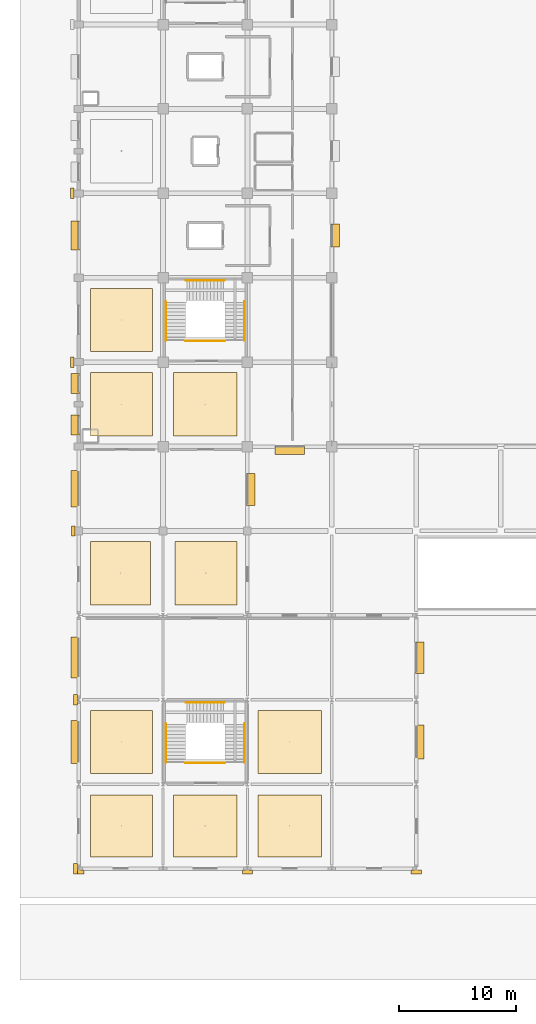
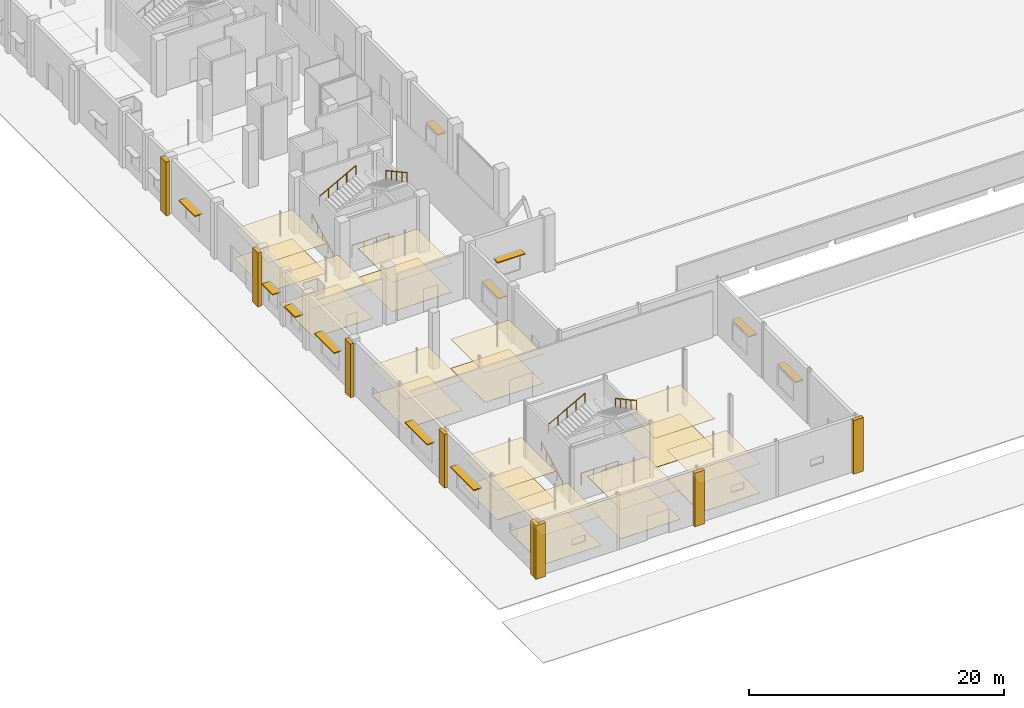
# One storey, part 83 of 90: 28 coverings, 11 shading devices, 8 railings.
"""IFC4 building model written with IfcOpenShell, lengths in metres."""

from ifc_helpers import new_model, si_unit, direction, frame, origin, origin_2d, place, context, subcontext, project, spatial, polyline, rectangle, circle, outline, extrude, material, layer, layer_set, type_object, element, save


model = new_model("IFC4")

# Units and contexts
model_context = context("Model", 3, precision=1e-05, world=origin(), true_north=direction((0.0, 1.0)))
body_context = subcontext(model_context, "Body", "Model", "MODEL_VIEW")
ifc_project = project(units=[si_unit("LENGTHUNIT", "METRE"), si_unit("AREAUNIT", "SQUARE_METRE"), si_unit("VOLUMEUNIT", "CUBIC_METRE"), si_unit("PLANEANGLEUNIT", "RADIAN"), si_unit("MASSUNIT", "GRAM", prefix="KILO")], contexts=[model_context])

# Site, building, storey
site_placement = place(None, origin())
site = spatial("IfcSite", under=ifc_project, at=site_placement, CompositionType="ELEMENT")
building_placement = place(site_placement, origin())
building = spatial("IfcBuilding", under=site, at=building_placement, Name="Kangsadwip Square Police Headquarters", CompositionType="ELEMENT")
storey_placement = place(building_placement, origin())
storey = spatial("IfcBuildingStorey", under=building, at=storey_placement, Name="L00", CompositionType="ELEMENT", Elevation=0.0)

# Railings
ifc_material_1 = material(Name="Structural steel IS 2062 E250 (Grade 250, 250 MPa)", Category="steel")
railing_type_1 = type_object("IfcRailingType", Name="BalustradeGuard1100", PredefinedType="BALUSTRADE", material=ifc_material_1)
for number, where, name in (
    (1, (9.1298828125, 45.02001953125, 0.0), "Stair Guard ST-01 L00-4"),
    (2, (9.1298828125, 9.02001953125, 0.0), "Stair Guard ST-08 L00-178"),
):
    element("IfcRailing", number, at=place(storey_placement, frame(where)), inside=storey, type_object=railing_type_1, Name=name, PredefinedType="BALUSTRADE", context=body_context, shape_type="SweptSolid", body=[
        extrude(circle(Radius=0.02392578125, at=origin_2d()), frame((0.0, 0.0, 1.09619140625), z_axis=(1.0, 0.0, 0.0), x_axis=(0.0, 1.0, 0.0)), (0.0, 0.0, 1.0), 3.340087890625),
        extrude(circle(Radius=0.02099609375, at=origin_2d()), origin(), (0.0, 0.0, 1.0), 1.072021484375),
        extrude(circle(Radius=0.02099609375, at=origin_2d()), frame((1.11328125, 0.0, 0.0)), (0.0, 0.0, 1.0), 1.072021484375),
        extrude(circle(Radius=0.02099609375, at=origin_2d()), frame((2.226806640625, 0.0, 0.0)), (0.0, 0.0, 1.0), 1.072021484375),
        extrude(circle(Radius=0.02099609375, at=origin_2d()), frame((3.340087890625, 0.0, 0.0)), (0.0, 0.0, 1.0), 1.072021484375),
    ])

# Coverings
ifc_material_2 = material(Name="Seamless anti-static epoxy and polished Kota stone interior flooring", Category="masonry")
ifc_layer_1 = layer(ifc_material_2, 0.02001953125)
ifc_layer_set_1 = layer_set([ifc_layer_1], Name="Seamless anti-static epoxy and polished Kota stone interior flooring")
covering_type_1 = type_object("IfcCoveringType", Name="InteriorStoneEpoxyFloor", PredefinedType="FLOORING", material=ifc_layer_set_1)
covering_1_placement = place(storey_placement, origin())
element("IfcCovering", 3, at=covering_1_placement, inside=storey, type_object=covering_type_1, Name="Interior Floor Finish L00-024", PredefinedType="FLOORING", context=body_context, shape_type="SweptSolid", body=[
    extrude(outline(polyline([(1.0, 36.89990234375), (6.300048828125, 36.89990234375), (6.300048828125, 42.300048828125), (1.0, 42.300048828125), (1.0, 36.89990234375)])), origin(), (0.0, 0.0, 1.0), 0.02001953125),
])
covering_2_placement = place(storey_placement, origin())
element("IfcCovering", 4, at=covering_2_placement, inside=storey, type_object=covering_type_1, Name="Interior Floor Finish L00-025", PredefinedType="FLOORING", context=body_context, shape_type="SweptSolid", body=[
    extrude(outline(polyline([(8.10009765625, 36.89990234375), (13.5, 36.89990234375), (13.5, 42.300048828125), (8.10009765625, 42.300048828125), (8.10009765625, 36.89990234375)])), origin(), (0.0, 0.0, 1.0), 0.02001953125),
])
covering_3_placement = place(storey_placement, origin())
element("IfcCovering", 5, at=covering_3_placement, inside=storey, type_object=covering_type_1, Name="Interior Floor Finish L00-026", PredefinedType="FLOORING", context=body_context, shape_type="SweptSolid", body=[
    extrude(outline(polyline([(1.0, 44.10009765625), (6.300048828125, 44.10009765625), (6.300048828125, 49.5), (1.0, 49.5), (1.0, 44.10009765625)])), origin(), (0.0, 0.0, 1.0), 0.02001953125),
])
covering_4_placement = place(storey_placement, origin())
element("IfcCovering", 6, at=covering_4_placement, inside=storey, type_object=covering_type_1, Name="Interior Floor Finish L00-036", PredefinedType="FLOORING", context=body_context, shape_type="SweptSolid", body=[
    extrude(outline(polyline([(1.0, 1.0), (6.300048828125, 1.0), (6.300048828125, 6.300048828125), (1.0, 6.300048828125), (1.0, 1.0)])), origin(), (0.0, 0.0, 1.0), 0.02001953125),
])
covering_5_placement = place(storey_placement, origin())
element("IfcCovering", 7, at=covering_5_placement, inside=storey, type_object=covering_type_1, Name="Interior Floor Finish L00-037", PredefinedType="FLOORING", context=body_context, shape_type="SweptSolid", body=[
    extrude(outline(polyline([(8.10009765625, 1.0), (13.5, 1.0), (13.5, 6.300048828125), (8.10009765625, 6.300048828125), (8.10009765625, 1.0)])), origin(), (0.0, 0.0, 1.0), 0.02001953125),
])
covering_6_placement = place(storey_placement, origin())
element("IfcCovering", 8, at=covering_6_placement, inside=storey, type_object=covering_type_1, Name="Interior Floor Finish L00-038", PredefinedType="FLOORING", context=body_context, shape_type="SweptSolid", body=[
    extrude(outline(polyline([(15.300048828125, 1.0), (20.699951171875, 1.0), (20.699951171875, 6.300048828125), (15.300048828125, 6.300048828125), (15.300048828125, 1.0)])), origin(), (0.0, 0.0, 1.0), 0.02001953125),
])
covering_7_placement = place(storey_placement, origin())
element("IfcCovering", 9, at=covering_7_placement, inside=storey, type_object=covering_type_1, Name="Interior Floor Finish L00-039", PredefinedType="FLOORING", context=body_context, shape_type="SweptSolid", body=[
    extrude(outline(polyline([(1.0, 8.10009765625), (6.300048828125, 8.10009765625), (6.300048828125, 13.5), (1.0, 13.5), (1.0, 8.10009765625)])), origin(), (0.0, 0.0, 1.0), 0.02001953125),
])
covering_8_placement = place(storey_placement, origin())
element("IfcCovering", 10, at=covering_8_placement, inside=storey, type_object=covering_type_1, Name="Interior Floor Finish L00-040", PredefinedType="FLOORING", context=body_context, shape_type="SweptSolid", body=[
    extrude(outline(polyline([(15.300048828125, 8.10009765625), (20.699951171875, 8.10009765625), (20.699951171875, 13.5), (15.300048828125, 13.5), (15.300048828125, 8.10009765625)])), origin(), (0.0, 0.0, 1.0), 0.02001953125),
])
covering_9_placement = place(storey_placement, origin())
element("IfcCovering", 11, at=covering_9_placement, inside=storey, type_object=covering_type_1, Name="Interior Floor Finish L00-041", PredefinedType="FLOORING", context=body_context, shape_type="SweptSolid", body=[
    extrude(outline(polyline([(1.0, 22.5), (6.14990234375, 22.5), (6.14990234375, 27.89990234375), (1.0, 27.89990234375), (1.0, 22.5)])), origin(), (0.0, 0.0, 1.0), 0.02001953125),
])
covering_10_placement = place(storey_placement, origin())
element("IfcCovering", 12, at=covering_10_placement, inside=storey, type_object=covering_type_1, Name="Interior Floor Finish L00-042", PredefinedType="FLOORING", context=body_context, shape_type="SweptSolid", body=[
    extrude(outline(polyline([(8.199951171875, 22.5), (13.5, 22.5), (13.5, 27.89990234375), (8.199951171875, 27.89990234375), (8.199951171875, 22.5)])), origin(), (0.0, 0.0, 1.0), 0.02001953125),
])

# Railings
ifc_material_3 = material(Name="Structural steel IS 2062 E250 (Grade 250, 250 MPa)", Category="steel")
railing_type_2 = type_object("IfcRailingType", Name="StairPitchHandrail900", PredefinedType="HANDRAIL", material=ifc_material_3)
railing_1_placement = place(storey_placement, frame((7.43994140625, 45.06005859375, 0.0)))
element("IfcRailing", 13, at=railing_1_placement, inside=storey, type_object=railing_type_2, Name="Stair Handrail ST-01 L00-5", PredefinedType="HANDRAIL", context=body_context, shape_type="SweptSolid", body=[
    extrude(circle(Radius=0.02392578125, at=origin_2d()), frame((0.0, 0.0, 0.8759765625), z_axis=(0.0, 0.877893090839, 0.478856681124), x_axis=(-1.0, 0.0, 0.0)), (0.0, 0.0, 1.0), 3.759033203125),
    extrude(circle(Radius=0.02099609375, at=origin_2d()), origin(), (0.0, 0.0, 1.0), 0.851806640625),
    extrude(circle(Radius=0.02099609375, at=origin_2d()), frame((0.0, 0.824951171875, 0.449951171875)), (0.0, 0.0, 1.0), 0.851806640625),
    extrude(circle(Radius=0.02099609375, at=origin_2d()), frame((0.0, 1.64990234375, 0.89990234375)), (0.0, 0.0, 1.0), 0.851806640625),
    extrude(circle(Radius=0.02099609375, at=origin_2d()), frame((0.0, 2.47509765625, 1.35009765625)), (0.0, 0.0, 1.0), 0.851806640625),
    extrude(circle(Radius=0.02099609375, at=origin_2d()), frame((0.0, 3.300048828125, 1.800048828125)), (0.0, 0.0, 1.0), 0.851806640625),
])
railing_2_placement = place(storey_placement, frame((9.14990234375, 50.159912109375, 1.800048828125)))
element("IfcRailing", 14, at=railing_2_placement, inside=storey, type_object=railing_type_2, Name="Stair Handrail ST-01 L00-6", PredefinedType="HANDRAIL", context=body_context, shape_type="SweptSolid", body=[
    extrude(circle(Radius=0.02392578125, at=origin_2d()), frame((0.0, 0.0, 0.8759765625), z_axis=(0.877893090839, 0.0, 0.478856681124), x_axis=(0.0, 1.0, 0.0)), (0.0, 0.0, 1.0), 3.759033203125),
    extrude(circle(Radius=0.02099609375, at=origin_2d()), origin(), (0.0, 0.0, 1.0), 0.851806640625),
    extrude(circle(Radius=0.02099609375, at=origin_2d()), frame((0.824951171875, 0.0, 0.449951171875)), (0.0, 0.0, 1.0), 0.851806640625),
    extrude(circle(Radius=0.02099609375, at=origin_2d()), frame((1.64990234375, 0.0, 0.89990234375)), (0.0, 0.0, 1.0), 0.851806640625),
    extrude(circle(Radius=0.02099609375, at=origin_2d()), frame((2.47509765625, 0.0, 1.35009765625)), (0.0, 0.0, 1.0), 0.851806640625),
    extrude(circle(Radius=0.02099609375, at=origin_2d()), frame((3.300048828125, 0.0, 1.800048828125)), (0.0, 0.0, 1.0), 0.851806640625),
])
railing_3_placement = place(storey_placement, frame((14.159912109375, 48.360107421875, 3.60009765625)))
element("IfcRailing", 15, at=railing_3_placement, inside=storey, type_object=railing_type_2, Name="Stair Handrail ST-01 L00-7", PredefinedType="HANDRAIL", context=body_context, shape_type="SweptSolid", body=[
    extrude(circle(Radius=0.02392578125, at=origin_2d()), frame((0.0, 0.0, 0.8759765625), z_axis=(0.0, -0.877920393143, 0.478806624122), x_axis=(1.0, 0.0, 0.0)), (0.0, 0.0, 1.0), 3.759033203125),
    extrude(circle(Radius=0.02099609375, at=origin_2d()), origin(), (0.0, 0.0, 1.0), 0.851806640625),
    extrude(circle(Radius=0.02099609375, at=origin_2d()), frame((0.0, -0.824951171875, 0.449951171875)), (0.0, 0.0, 1.0), 0.851806640625),
    extrude(circle(Radius=0.02099609375, at=origin_2d()), frame((0.0, -1.64990234375, 0.89990234375)), (0.0, 0.0, 1.0), 0.851806640625),
    extrude(circle(Radius=0.02099609375, at=origin_2d()), frame((0.0, -2.47509765625, 1.349853515625)), (0.0, 0.0, 1.0), 0.851806640625),
    extrude(circle(Radius=0.02099609375, at=origin_2d()), frame((0.0, -3.300048828125, 1.7998046875)), (0.0, 0.0, 1.0), 0.851806640625),
])
railing_4_placement = place(storey_placement, frame((7.43994140625, 9.06005859375, 0.0)))
element("IfcRailing", 16, at=railing_4_placement, inside=storey, type_object=railing_type_2, Name="Stair Handrail ST-08 L00-179", PredefinedType="HANDRAIL", context=body_context, shape_type="SweptSolid", body=[
    extrude(circle(Radius=0.02392578125, at=origin_2d()), frame((0.0, 0.0, 0.8759765625), z_axis=(0.0, 0.877893090839, 0.478856681124), x_axis=(-1.0, 0.0, 0.0)), (0.0, 0.0, 1.0), 3.759033203125),
    extrude(circle(Radius=0.02099609375, at=origin_2d()), origin(), (0.0, 0.0, 1.0), 0.851806640625),
    extrude(circle(Radius=0.02099609375, at=origin_2d()), frame((0.0, 0.824951171875, 0.449951171875)), (0.0, 0.0, 1.0), 0.851806640625),
    extrude(circle(Radius=0.02099609375, at=origin_2d()), frame((0.0, 1.64990234375, 0.89990234375)), (0.0, 0.0, 1.0), 0.851806640625),
    extrude(circle(Radius=0.02099609375, at=origin_2d()), frame((0.0, 2.47509765625, 1.35009765625)), (0.0, 0.0, 1.0), 0.851806640625),
    extrude(circle(Radius=0.02099609375, at=origin_2d()), frame((0.0, 3.300048828125, 1.800048828125)), (0.0, 0.0, 1.0), 0.851806640625),
])
railing_5_placement = place(storey_placement, frame((9.14990234375, 14.159912109375, 1.800048828125)))
element("IfcRailing", 17, at=railing_5_placement, inside=storey, type_object=railing_type_2, Name="Stair Handrail ST-08 L00-180", PredefinedType="HANDRAIL", context=body_context, shape_type="SweptSolid", body=[
    extrude(circle(Radius=0.02392578125, at=origin_2d()), frame((0.0, 0.0, 0.8759765625), z_axis=(0.877893090839, 0.0, 0.478856681124), x_axis=(0.0, 1.0, 0.0)), (0.0, 0.0, 1.0), 3.759033203125),
    extrude(circle(Radius=0.02099609375, at=origin_2d()), origin(), (0.0, 0.0, 1.0), 0.851806640625),
    extrude(circle(Radius=0.02099609375, at=origin_2d()), frame((0.824951171875, 0.0, 0.449951171875)), (0.0, 0.0, 1.0), 0.851806640625),
    extrude(circle(Radius=0.02099609375, at=origin_2d()), frame((1.64990234375, 0.0, 0.89990234375)), (0.0, 0.0, 1.0), 0.851806640625),
    extrude(circle(Radius=0.02099609375, at=origin_2d()), frame((2.47509765625, 0.0, 1.35009765625)), (0.0, 0.0, 1.0), 0.851806640625),
    extrude(circle(Radius=0.02099609375, at=origin_2d()), frame((3.300048828125, 0.0, 1.800048828125)), (0.0, 0.0, 1.0), 0.851806640625),
])
railing_6_placement = place(storey_placement, frame((14.159912109375, 12.360107421875, 3.60009765625)))
element("IfcRailing", 18, at=railing_6_placement, inside=storey, type_object=railing_type_2, Name="Stair Handrail ST-08 L00-181", PredefinedType="HANDRAIL", context=body_context, shape_type="SweptSolid", body=[
    extrude(circle(Radius=0.02392578125, at=origin_2d()), frame((0.0, 0.0, 0.8759765625), z_axis=(0.0, -0.877920393143, 0.478806624122), x_axis=(1.0, 0.0, 0.0)), (0.0, 0.0, 1.0), 3.759033203125),
    extrude(circle(Radius=0.02099609375, at=origin_2d()), origin(), (0.0, 0.0, 1.0), 0.851806640625),
    extrude(circle(Radius=0.02099609375, at=origin_2d()), frame((0.0, -0.824951171875, 0.449951171875)), (0.0, 0.0, 1.0), 0.851806640625),
    extrude(circle(Radius=0.02099609375, at=origin_2d()), frame((0.0, -1.64990234375, 0.89990234375)), (0.0, 0.0, 1.0), 0.851806640625),
    extrude(circle(Radius=0.02099609375, at=origin_2d()), frame((0.0, -2.47509765625, 1.349853515625)), (0.0, 0.0, 1.0), 0.851806640625),
    extrude(circle(Radius=0.02099609375, at=origin_2d()), frame((0.0, -3.300048828125, 1.7998046875)), (0.0, 0.0, 1.0), 0.851806640625),
])

# Coverings
ifc_material_4 = material(Name="Perforated mineral-fibre and acoustic baffle suspended ceiling", Category="wood")
ifc_layer_2 = layer(ifc_material_4, 0.02490234375)
ifc_layer_set_2 = layer_set([ifc_layer_2], Name="Perforated mineral-fibre and acoustic baffle suspended ceiling")
covering_type_2 = type_object("IfcCoveringType", Name="SuspendedAcousticCeiling", PredefinedType="CEILING", material=ifc_layer_set_2)
covering_11_placement = place(storey_placement, frame((0.0, 0.0, 2.800048828125)))
element("IfcCovering", 19, at=covering_11_placement, inside=storey, type_object=covering_type_2, Name="Suspended Acoustic Ceiling L00-024", PredefinedType="CEILING", context=body_context, shape_type="SweptSolid", body=[
    extrude(outline(polyline([(1.0, 36.89990234375), (6.300048828125, 36.89990234375), (6.300048828125, 42.300048828125), (1.0, 42.300048828125), (1.0, 36.89990234375)])), origin(), (0.0, 0.0, 1.0), 0.02490234375),
])
covering_12_placement = place(storey_placement, frame((0.0, 0.0, 2.800048828125)))
element("IfcCovering", 20, at=covering_12_placement, inside=storey, type_object=covering_type_2, Name="Suspended Acoustic Ceiling L00-025", PredefinedType="CEILING", context=body_context, shape_type="SweptSolid", body=[
    extrude(outline(polyline([(8.10009765625, 36.89990234375), (13.5, 36.89990234375), (13.5, 42.300048828125), (8.10009765625, 42.300048828125), (8.10009765625, 36.89990234375)])), origin(), (0.0, 0.0, 1.0), 0.02490234375),
])
covering_13_placement = place(storey_placement, frame((0.0, 0.0, 2.800048828125)))
element("IfcCovering", 21, at=covering_13_placement, inside=storey, type_object=covering_type_2, Name="Suspended Acoustic Ceiling L00-026", PredefinedType="CEILING", context=body_context, shape_type="SweptSolid", body=[
    extrude(outline(polyline([(1.0, 44.10009765625), (6.300048828125, 44.10009765625), (6.300048828125, 49.5), (1.0, 49.5), (1.0, 44.10009765625)])), origin(), (0.0, 0.0, 1.0), 0.02490234375),
])
covering_14_placement = place(storey_placement, frame((0.0, 0.0, 2.800048828125)))
element("IfcCovering", 22, at=covering_14_placement, inside=storey, type_object=covering_type_2, Name="Suspended Acoustic Ceiling L00-036", PredefinedType="CEILING", context=body_context, shape_type="SweptSolid", body=[
    extrude(outline(polyline([(1.0, 1.0), (6.300048828125, 1.0), (6.300048828125, 6.300048828125), (1.0, 6.300048828125), (1.0, 1.0)])), origin(), (0.0, 0.0, 1.0), 0.02490234375),
])
covering_15_placement = place(storey_placement, frame((0.0, 0.0, 2.800048828125)))
element("IfcCovering", 23, at=covering_15_placement, inside=storey, type_object=covering_type_2, Name="Suspended Acoustic Ceiling L00-037", PredefinedType="CEILING", context=body_context, shape_type="SweptSolid", body=[
    extrude(outline(polyline([(8.10009765625, 1.0), (13.5, 1.0), (13.5, 6.300048828125), (8.10009765625, 6.300048828125), (8.10009765625, 1.0)])), origin(), (0.0, 0.0, 1.0), 0.02490234375),
])
covering_16_placement = place(storey_placement, frame((0.0, 0.0, 2.800048828125)))
element("IfcCovering", 24, at=covering_16_placement, inside=storey, type_object=covering_type_2, Name="Suspended Acoustic Ceiling L00-038", PredefinedType="CEILING", context=body_context, shape_type="SweptSolid", body=[
    extrude(outline(polyline([(15.300048828125, 1.0), (20.699951171875, 1.0), (20.699951171875, 6.300048828125), (15.300048828125, 6.300048828125), (15.300048828125, 1.0)])), origin(), (0.0, 0.0, 1.0), 0.02490234375),
])
covering_17_placement = place(storey_placement, frame((0.0, 0.0, 2.800048828125)))
element("IfcCovering", 25, at=covering_17_placement, inside=storey, type_object=covering_type_2, Name="Suspended Acoustic Ceiling L00-039", PredefinedType="CEILING", context=body_context, shape_type="SweptSolid", body=[
    extrude(outline(polyline([(1.0, 8.10009765625), (6.300048828125, 8.10009765625), (6.300048828125, 13.5), (1.0, 13.5), (1.0, 8.10009765625)])), origin(), (0.0, 0.0, 1.0), 0.02490234375),
])
covering_18_placement = place(storey_placement, frame((0.0, 0.0, 2.800048828125)))
element("IfcCovering", 26, at=covering_18_placement, inside=storey, type_object=covering_type_2, Name="Suspended Acoustic Ceiling L00-040", PredefinedType="CEILING", context=body_context, shape_type="SweptSolid", body=[
    extrude(outline(polyline([(15.300048828125, 8.10009765625), (20.699951171875, 8.10009765625), (20.699951171875, 13.5), (15.300048828125, 13.5), (15.300048828125, 8.10009765625)])), origin(), (0.0, 0.0, 1.0), 0.02490234375),
])
covering_19_placement = place(storey_placement, frame((0.0, 0.0, 2.800048828125)))
element("IfcCovering", 27, at=covering_19_placement, inside=storey, type_object=covering_type_2, Name="Suspended Acoustic Ceiling L00-041", PredefinedType="CEILING", context=body_context, shape_type="SweptSolid", body=[
    extrude(outline(polyline([(1.0, 22.5), (6.14990234375, 22.5), (6.14990234375, 27.89990234375), (1.0, 27.89990234375), (1.0, 22.5)])), origin(), (0.0, 0.0, 1.0), 0.02490234375),
])
covering_20_placement = place(storey_placement, frame((0.0, 0.0, 2.800048828125)))
element("IfcCovering", 28, at=covering_20_placement, inside=storey, type_object=covering_type_2, Name="Suspended Acoustic Ceiling L00-042", PredefinedType="CEILING", context=body_context, shape_type="SweptSolid", body=[
    extrude(outline(polyline([(8.199951171875, 22.5), (13.5, 22.5), (13.5, 27.89990234375), (8.199951171875, 27.89990234375), (8.199951171875, 22.5)])), origin(), (0.0, 0.0, 1.0), 0.02490234375),
])
ifc_material_5 = material(Name="Glazed architectural terracotta masonry rainscreen", Category="masonry")
ifc_layer_3 = layer(ifc_material_5, 0.034912109375)
ifc_layer_set_3 = layer_set([ifc_layer_3], Name="Glazed architectural terracotta masonry rainscreen")
covering_type_3 = type_object("IfcCoveringType", Name="TerracottaPierCladding", PredefinedType="CLADDING", material=ifc_layer_set_3)
covering_21_placement = place(storey_placement, origin())
element("IfcCovering", 29, at=covering_21_placement, inside=storey, type_object=covering_type_3, Name="Terracotta Pier Cladding L00-001", PredefinedType="CLADDING", context=body_context, shape_type="SweptSolid", body=[
    extrude(outline(polyline([(-0.425048828125, -0.43994140625), (-0.10498046875, -0.43994140625), (-0.10498046875, 0.43994140625), (-0.425048828125, 0.43994140625), (-0.425048828125, -0.43994140625)])), origin(), (0.0, 0.0, 1.0), 5.14990234375),
])
covering_22_placement = place(storey_placement, origin())
element("IfcCovering", 30, at=covering_22_placement, inside=storey, type_object=covering_type_3, Name="Terracotta Pier Cladding L00-002", PredefinedType="CLADDING", context=body_context, shape_type="SweptSolid", body=[
    extrude(outline(polyline([(-0.425048828125, 13.9599609375), (-0.10498046875, 13.9599609375), (-0.10498046875, 14.840087890625), (-0.425048828125, 14.840087890625), (-0.425048828125, 13.9599609375)])), origin(), (0.0, 0.0, 1.0), 5.14990234375),
])
covering_23_placement = place(storey_placement, origin())
element("IfcCovering", 31, at=covering_23_placement, inside=storey, type_object=covering_type_3, Name="Terracotta Pier Cladding L00-003", PredefinedType="CLADDING", context=body_context, shape_type="SweptSolid", body=[
    extrude(outline(polyline([(-0.625, 28.360107421875), (-0.304931640625, 28.360107421875), (-0.304931640625, 29.239990234375), (-0.625, 29.239990234375), (-0.625, 28.360107421875)])), origin(), (0.0, 0.0, 1.0), 5.14990234375),
])
covering_24_placement = place(storey_placement, origin())
element("IfcCovering", 32, at=covering_24_placement, inside=storey, type_object=covering_type_3, Name="Terracotta Pier Cladding L00-004", PredefinedType="CLADDING", context=body_context, shape_type="SweptSolid", body=[
    extrude(outline(polyline([(-0.699951171875, 42.760009765625), (-0.3798828125, 42.760009765625), (-0.3798828125, 43.639892578125), (-0.699951171875, 43.639892578125), (-0.699951171875, 42.760009765625)])), origin(), (0.0, 0.0, 1.0), 5.14990234375),
])
covering_25_placement = place(storey_placement, origin())
element("IfcCovering", 33, at=covering_25_placement, inside=storey, type_object=covering_type_3, Name="Terracotta Pier Cladding L00-005", PredefinedType="CLADDING", context=body_context, shape_type="SweptSolid", body=[
    extrude(outline(polyline([(-0.699951171875, 57.159912109375), (-0.3798828125, 57.159912109375), (-0.3798828125, 58.0400390625), (-0.699951171875, 58.0400390625), (-0.699951171875, 57.159912109375)])), origin(), (0.0, 0.0, 1.0), 5.14990234375),
])
covering_26_placement = place(storey_placement, origin())
element("IfcCovering", 34, at=covering_26_placement, inside=storey, type_object=covering_type_3, Name="Terracotta Pier Cladding L00-027", PredefinedType="CLADDING", context=body_context, shape_type="SweptSolid", body=[
    extrude(outline(polyline([(-0.43994140625, -0.449951171875), (0.43994140625, -0.449951171875), (0.43994140625, -0.1298828125), (-0.43994140625, -0.1298828125), (-0.43994140625, -0.449951171875)])), origin(), (0.0, 0.0, 1.0), 5.14990234375),
])
covering_27_placement = place(storey_placement, origin())
element("IfcCovering", 35, at=covering_27_placement, inside=storey, type_object=covering_type_3, Name="Terracotta Pier Cladding L00-028", PredefinedType="CLADDING", context=body_context, shape_type="SweptSolid", body=[
    extrude(outline(polyline([(13.9599609375, -0.449951171875), (14.840087890625, -0.449951171875), (14.840087890625, -0.1298828125), (13.9599609375, -0.1298828125), (13.9599609375, -0.449951171875)])), origin(), (0.0, 0.0, 1.0), 5.14990234375),
])
covering_28_placement = place(storey_placement, origin())
element("IfcCovering", 36, at=covering_28_placement, inside=storey, type_object=covering_type_3, Name="Terracotta Pier Cladding L00-029", PredefinedType="CLADDING", context=body_context, shape_type="SweptSolid", body=[
    extrude(outline(polyline([(28.360107421875, -0.449951171875), (29.239990234375, -0.449951171875), (29.239990234375, -0.1298828125), (28.360107421875, -0.1298828125), (28.360107421875, -0.449951171875)])), origin(), (0.0, 0.0, 1.0), 5.14990234375),
])

# Shading devices
ifc_material_6 = material(Name="Architectural terracotta and anodised aluminium AW-6061-T6", Category="aluminium")
shading_device_type = type_object("IfcShadingDeviceType", Name="TerracottaChhajjaAwning", PredefinedType="AWNING", material=ifc_material_6)
shading_device_1_placement = place(storey_placement, frame((18.0, 35.699951171875, 2.56494140625), z_axis=(0.0, 0.0, 1.0), x_axis=(1.0, 0.0, 0.0)))
element("IfcShadingDevice", 37, at=shading_device_1_placement, inside=storey, type_object=shading_device_type, Name="Terracotta Chhajja Hood CHJ-L00-0001", PredefinedType="AWNING", context=body_context, shape_type="SweptSolid", body=[
    extrude(rectangle(XDim=2.5, YDim=0.719970703125, at=origin_2d()), origin(), (0.0, 0.0, 1.0), 0.090087890625),
])
shading_device_2_placement = place(storey_placement, frame((-0.300048828125, 10.800048828125, 2.86474609375), z_axis=(0.0, 0.0, 1.0), x_axis=(0.0, 1.0, 0.0)))
element("IfcShadingDevice", 38, at=shading_device_2_placement, inside=storey, type_object=shading_device_type, Name="Terracotta Chhajja Hood CHJ-L00-0008", PredefinedType="AWNING", context=body_context, shape_type="SweptSolid", body=[
    extrude(rectangle(XDim=3.699951171875, YDim=0.719970703125, at=origin_2d()), origin(), (0.0, 0.0, 1.0), 0.090087890625),
])
shading_device_3_placement = place(storey_placement, frame((-0.300048828125, 18.0, 2.81494140625), z_axis=(0.0, 0.0, 1.0), x_axis=(0.0, 1.0, 0.0)))
element("IfcShadingDevice", 39, at=shading_device_3_placement, inside=storey, type_object=shading_device_type, Name="Terracotta Chhajja Hood CHJ-L00-0009", PredefinedType="AWNING", context=body_context, shape_type="SweptSolid", body=[
    extrude(rectangle(XDim=3.5, YDim=0.719970703125, at=origin_2d()), origin(), (0.0, 0.0, 1.0), 0.090087890625),
])
shading_device_4_placement = place(storey_placement, frame((-0.300048828125, 32.41259765625, 2.71484375), z_axis=(0.0, 0.0, 1.0), x_axis=(0.0, 1.0, 0.0)))
element("IfcShadingDevice", 40, at=shading_device_4_placement, inside=storey, type_object=shading_device_type, Name="Terracotta Chhajja Hood CHJ-L00-0010", PredefinedType="AWNING", context=body_context, shape_type="SweptSolid", body=[
    extrude(rectangle(XDim=3.10009765625, YDim=0.719970703125, at=origin_2d()), origin(), (0.0, 0.0, 1.0), 0.090087890625),
])
for number, where, z_axis, x_axis, name in (
    (41, (-0.300048828125, 37.83740234375, 2.46484375), (0.0, 0.0, 1.0), (0.0, 1.0, 0.0), "Terracotta Chhajja Hood CHJ-L00-0011"),
    (42, (-0.300048828125, 41.362548828125, 2.46484375), (0.0, 0.0, 1.0), (0.0, 1.0, 0.0), "Terracotta Chhajja Hood CHJ-L00-0012"),
):
    element("IfcShadingDevice", number, at=place(storey_placement, frame(where, z_axis=z_axis, x_axis=x_axis)), inside=storey, type_object=shading_device_type, Name=name, PredefinedType="AWNING", context=body_context, shape_type="SweptSolid", body=[
        extrude(rectangle(XDim=1.699951171875, YDim=0.719970703125, at=origin_2d()), origin(), (0.0, 0.0, 1.0), 0.090087890625),
    ])
shading_device_5_placement = place(storey_placement, frame((-0.300048828125, 54.0, 2.56494140625), z_axis=(0.0, 0.0, 1.0), x_axis=(0.0, 1.0, 0.0)))
element("IfcShadingDevice", 43, at=shading_device_5_placement, inside=storey, type_object=shading_device_type, Name="Terracotta Chhajja Hood CHJ-L00-0013", PredefinedType="AWNING", context=body_context, shape_type="SweptSolid", body=[
    extrude(rectangle(XDim=2.5, YDim=0.719970703125, at=origin_2d()), origin(), (0.0, 0.0, 1.0), 0.090087890625),
])
shading_device_6_placement = place(storey_placement, frame((14.699951171875, 32.33740234375, 2.61474609375), z_axis=(0.0, 0.0, 1.0), x_axis=(0.0, 1.0, 0.0)))
element("IfcShadingDevice", 44, at=shading_device_6_placement, inside=storey, type_object=shading_device_type, Name="Terracotta Chhajja Hood CHJ-L00-0022", PredefinedType="AWNING", context=body_context, shape_type="SweptSolid", body=[
    extrude(rectangle(XDim=2.699951171875, YDim=0.719970703125, at=origin_2d()), origin(), (0.0, 0.0, 1.0), 0.090087890625),
])
shading_device_7_placement = place(storey_placement, frame((21.89990234375, 54.0, 2.4150390625), z_axis=(0.0, 0.0, 1.0), x_axis=(0.0, 1.0, 0.0)))
element("IfcShadingDevice", 45, at=shading_device_7_placement, inside=storey, type_object=shading_device_type, Name="Terracotta Chhajja Hood CHJ-L00-0023", PredefinedType="AWNING", context=body_context, shape_type="SweptSolid", body=[
    extrude(rectangle(XDim=1.949951171875, YDim=0.719970703125, at=origin_2d()), origin(), (0.0, 0.0, 1.0), 0.090087890625),
])
shading_device_8_placement = place(storey_placement, frame((29.10009765625, 10.800048828125, 2.6650390625), z_axis=(0.0, 0.0, 1.0), x_axis=(0.0, 1.0, 0.0)))
element("IfcShadingDevice", 46, at=shading_device_8_placement, inside=storey, type_object=shading_device_type, Name="Terracotta Chhajja Hood CHJ-L00-0028", PredefinedType="AWNING", context=body_context, shape_type="SweptSolid", body=[
    extrude(rectangle(XDim=2.89990234375, YDim=0.719970703125, at=origin_2d()), origin(), (0.0, 0.0, 1.0), 0.090087890625),
])
shading_device_9_placement = place(storey_placement, frame((29.10009765625, 18.0, 2.61474609375), z_axis=(0.0, 0.0, 1.0), x_axis=(0.0, 1.0, 0.0)))
element("IfcShadingDevice", 47, at=shading_device_9_placement, inside=storey, type_object=shading_device_type, Name="Terracotta Chhajja Hood CHJ-L00-0029", PredefinedType="AWNING", context=body_context, shape_type="SweptSolid", body=[
    extrude(rectangle(XDim=2.699951171875, YDim=0.719970703125, at=origin_2d()), origin(), (0.0, 0.0, 1.0), 0.090087890625),
])

save(model, "model.ifc")
